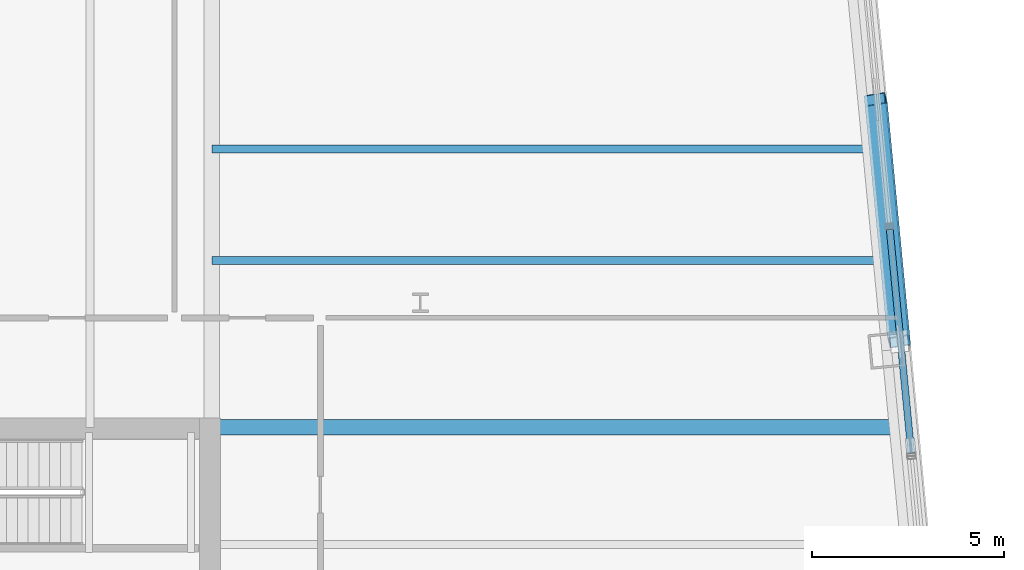
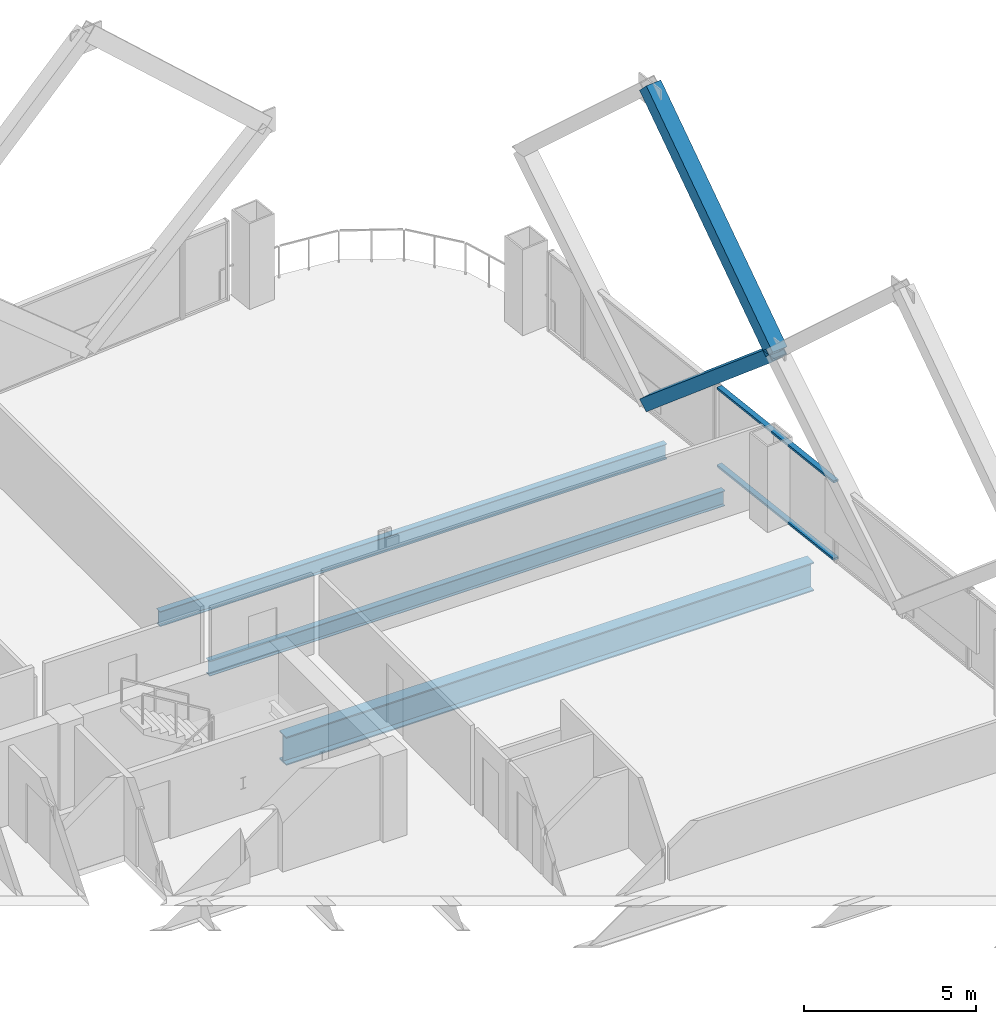
# One storey, part 23 of 32: 4 members, 3 beams, 1 element without a shape of its own.
"""IFC4 building model written with IfcOpenShell, lengths in metres."""

from ifc_helpers import new_model, si_unit, direction, frame, origin, origin_2d, place, context, subcontext, project, spatial, hollow_rectangle, i_section, extrude, material, layer, layer_set, material_profile, profile_set, type_object, element, aggregate, save


model = new_model("IFC4")

# Units and contexts
model_context = context("Model", 3, precision=1e-05, world=origin(), true_north=direction((0.0, 1.0)))
body_context = subcontext(model_context, "Body", "Model", "MODEL_VIEW")
ifc_project = project(units=[si_unit("LENGTHUNIT", "METRE"), si_unit("AREAUNIT", "SQUARE_METRE"), si_unit("VOLUMEUNIT", "CUBIC_METRE"), si_unit("PLANEANGLEUNIT", "RADIAN"), si_unit("MASSUNIT", "GRAM", prefix="KILO")], contexts=[model_context])

# Site, building, storey
site_placement = place(None, origin())
site = spatial("IfcSite", under=ifc_project, at=site_placement, CompositionType="ELEMENT")
building_placement = place(site_placement, origin())
building = spatial("IfcBuilding", under=site, at=building_placement, Name="Qhalaya Broadcast Tower", CompositionType="ELEMENT")
storey_placement = place(building_placement, frame((0.0, 0.0, 81.64990234375)))
storey = spatial("IfcBuildingStorey", under=building, at=storey_placement, Name="L23", CompositionType="ELEMENT", Elevation=81.64990234375)

# Beams
ifc_material_1 = material(Name="Structural Steel ASTM A992 Grade 50", Category="steel")
ifc_material_profile_1 = material_profile(ifc_material_1, i_section(OverallWidth=0.2099609375, OverallDepth=0.535888671875, WebThickness=0.010986328125, FlangeThickness=0.017333984375, at=origin_2d()), Name="W21X68")
ifc_profile_set_1 = profile_set([ifc_material_profile_1], Name="Structural Steel ASTM A992 Grade 50")
beam_type_1 = type_object("IfcBeamType", Name="Composite Floor Joist J02", PredefinedType="JOIST", material=ifc_profile_set_1)
beam_1_placement = place(storey_placement, frame((9.375, 14.300048828125, -0.48779296875), z_axis=(1.0, 0.0, 0.0), x_axis=(0.0, 1.0, 0.0)))
element("IfcBeam", 1, at=beam_1_placement, inside=storey, type_object=beam_type_1, Name="L23 J02 L23-JWE6E-1", PredefinedType="JOIST", context=body_context, shape_type="SweptSolid", body=[
    extrude(i_section(OverallWidth=0.2099609375, OverallDepth=0.535888671875, WebThickness=0.010986328125, FlangeThickness=0.017333984375, at=origin_2d()), origin(), (0.0, 0.0, 1.0), 17.3203125),
])
beam_2_placement = place(storey_placement, frame((9.375, 17.199951171875, -0.48779296875), z_axis=(1.0, 0.0, 0.0), x_axis=(0.0, 1.0, 0.0)))
element("IfcBeam", 2, at=beam_2_placement, inside=storey, type_object=beam_type_1, Name="L23 J02 L23-JWE7E-1", PredefinedType="JOIST", context=body_context, shape_type="SweptSolid", body=[
    extrude(i_section(OverallWidth=0.2099609375, OverallDepth=0.535888671875, WebThickness=0.010986328125, FlangeThickness=0.017333984375, at=origin_2d()), origin(), (0.0, 0.0, 1.0), 17.041015625),
])

# Members
ifc_material_2 = material(Name="Structural Steel ASTM A572 Grade 50", Category="steel")
ifc_material_profile_2 = material_profile(ifc_material_2, hollow_rectangle(XDim=0.419921875, YDim=0.550048828125, WallThickness=0.028076171875, at=origin_2d()), Name="BOX 420x550x28")
ifc_profile_set_2 = profile_set([ifc_material_profile_2], Name="Structural Steel ASTM A572 Grade 50")
member_type_1 = type_object("IfcMemberType", Name="Exoskeleton Diamond Diagonal Mid-Low EX2", PredefinedType="BRACE", material=ifc_profile_set_2)
member_1_placement = place(storey_placement, frame((26.6533203125, 18.49072265625, 0.360107421875), z_axis=(0.073066636585, -0.758635580976, 0.647405067864), x_axis=(-0.157184996454, 0.632267567763, 0.758637330775)))
element("IfcMember", 3, at=member_1_placement, inside=storey, type_object=member_type_1, Name="B2 Exoskeleton Diamond Brace E3-D1", PredefinedType="BRACE", context=body_context, shape_type="SweptSolid", body=[
    extrude(hollow_rectangle(XDim=0.419921875, YDim=0.550048828125, WallThickness=0.028076171875, at=origin_2d()), origin(), (0.0, 0.0, 1.0), 8.309814453125),
])
member_2_placement = place(storey_placement, frame((27.260498046875, 12.1865234375, 5.739990234375), z_axis=(-0.070368182799, 0.730618100613, 0.6791505797), x_axis=(0.160214414414, -0.663721379818, 0.730619785789)))
element("IfcMember", 4, at=member_2_placement, inside=storey, type_object=member_type_1, Name="B2 Exoskeleton Diamond Brace E3-D3", PredefinedType="BRACE", context=body_context, shape_type="SweptSolid", body=[
    extrude(hollow_rectangle(XDim=0.419921875, YDim=0.550048828125, WallThickness=0.028076171875, at=origin_2d()), origin(), (0.0, 0.0, 1.0), 8.628662109375),
])

# Beam
ifc_material_profile_3 = material_profile(ifc_material_1, i_section(OverallWidth=0.40087890625, OverallDepth=1.010986328125, WebThickness=0.023681640625, FlangeThickness=0.0419921875, at=origin_2d()), Name="W40X297")
ifc_profile_set_3 = profile_set([ifc_material_profile_3], Name="Structural Steel ASTM A992 Grade 50")
beam_type_2 = type_object("IfcBeamType", Name="Lower Block Primary Girder PG2", PredefinedType="USERDEFINED", material=ifc_profile_set_3)
beam_3_placement = place(storey_placement, frame((9.375, 9.949951171875, -0.725341796875), z_axis=(1.0, 0.0, 0.0), x_axis=(0.0, 1.0, 0.0)))
element("IfcBeam", 5, at=beam_3_placement, inside=storey, type_object=beam_type_2, Name="L23 PG2 L23-PGYE4-1", ObjectType="GIRDER", PredefinedType="USERDEFINED", context=body_context, shape_type="SweptSolid", body=[
    extrude(i_section(OverallWidth=0.40087890625, OverallDepth=1.010986328125, WebThickness=0.023681640625, FlangeThickness=0.0419921875, at=origin_2d()), origin(), (0.0, 0.0, 1.0), 17.7392578125),
])

# Curtain wall, members
ifc_material_3 = material(Name="Solar-Control Low-E Triple Glazing", Category="glass")
ifc_layer = layer(ifc_material_3, 0.219970703125, Name="Solar-Control Low-E Triple Glazing")
ifc_layer_set = layer_set([ifc_layer], Name="Solar-Control Low-E Triple Glazing")
curtain_wall_type = type_object("IfcCurtainWallType", Name="Even-Block 4-Storey Double-Module Curtain Wall CW-03", PredefinedType="NOTDEFINED", material=ifc_layer_set)
curtain_wall_placement = place(storey_placement, origin())
curtain_wall = element("IfcCurtainWall", 6, at=curtain_wall_placement, inside=storey, type_object=curtain_wall_type, Name="L23 Unitised Curtain Wall L23-CW-E5", PredefinedType="NOTDEFINED")
ifc_material_4 = material(Name="Anodised Aluminium 6063-T6", Category="aluminium")
ifc_material_profile_4 = material_profile(ifc_material_4, hollow_rectangle(XDim=0.074951171875, YDim=0.179931640625, WallThickness=0.00390625, at=origin_2d()), Name="ALU-TRN 75x180x4")
ifc_profile_set_4 = profile_set([ifc_material_profile_4], Name="Anodised Aluminium 6063-T6")
member_type_2 = type_object("IfcMemberType", Name="Unitised Curtain-Wall Transom T01", PredefinedType="USERDEFINED", material=ifc_profile_set_4)
member_3_placement = place(storey_placement, frame((27.580810546875, 9.276611328125, 0.03759765625), z_axis=(-0.095836372519, 0.995397101514, 0.0), x_axis=(0.0, 0.0, 1.0)))
member_3 = element("IfcMember", 7, at=member_3_placement, type_object=member_type_2, Name="CW-03 transom 1.1", ObjectType="TRANSOM", PredefinedType="USERDEFINED", context=body_context, shape_type="SweptSolid", body=[
    extrude(hollow_rectangle(XDim=0.074951171875, YDim=0.179931640625, WallThickness=0.00390625, at=origin_2d()), origin(), (0.0, 0.0, 1.0), 5.85400390625),
])
member_4_placement = place(storey_placement, frame((27.580810546875, 9.276611328125, 2.79248046875), z_axis=(-0.095836372519, 0.995397101514, 0.0), x_axis=(0.0, 0.0, 1.0)))
member_4 = element("IfcMember", 8, at=member_4_placement, type_object=member_type_2, Name="CW-03 transom 1.2", ObjectType="TRANSOM", PredefinedType="USERDEFINED", context=body_context, shape_type="SweptSolid", body=[
    extrude(hollow_rectangle(XDim=0.074951171875, YDim=0.179931640625, WallThickness=0.00390625, at=origin_2d()), origin(), (0.0, 0.0, 1.0), 5.85400390625),
])
aggregate(curtain_wall, [member_3, member_4])

save(model, "model.ifc")
